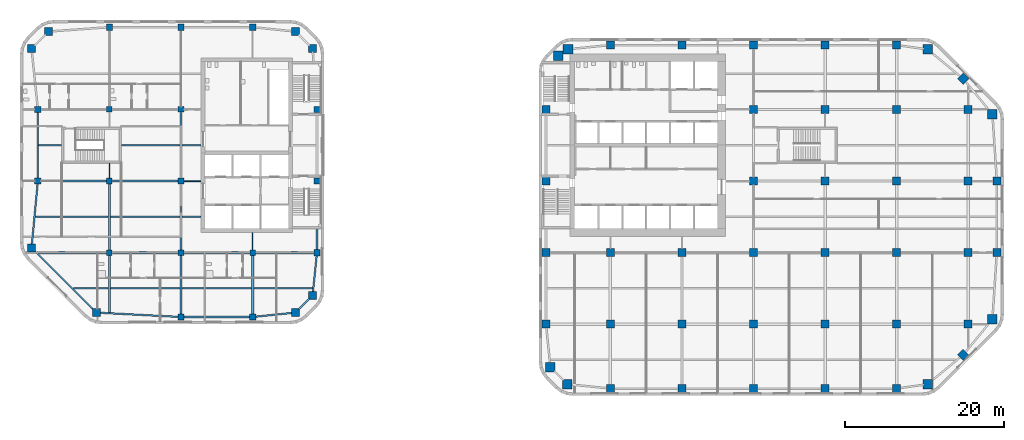
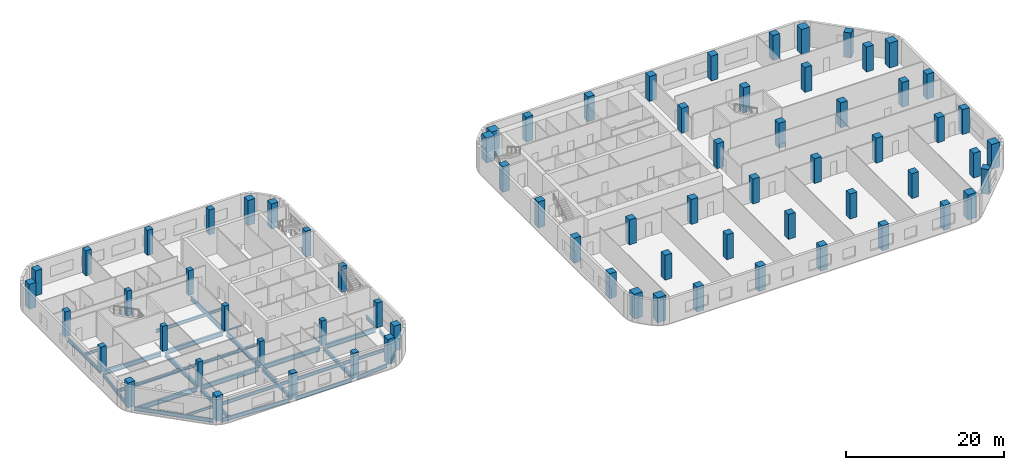
# One storey, part 1 of 15: 71 columns, 34 beams.
"""IFC4 building model written with IfcOpenShell, lengths in metres."""

import ifcopenshell
import ifcopenshell.guid

model = None  # the IFC model being written
_history = None  # IfcOwnerHistory: only IFC2X3 demands one
_inside = {}  # id of a spatial element -> (the spatial element, [elements in it])
_under = {}  # id of a project, library or spatial element -> (it, [spatial elements below it])
_declared = {}  # id of a project -> (the project, [libraries it declares])
_typed = {}  # id of a type object -> (the type object, [elements of that type])
_made_of = {}  # id of a material, layer set ... -> (it, [elements and type objects made of it])


def new_model(schema):
    """Start an empty IFC model of exactly this schema.

    Asked for "IFC4X3", IfcOpenShell would pick the latest addendum, in which some entities
    have other attributes; the version numbers below select the first issue.
    IFC2X3 requires an IfcOwnerHistory on every rooted entity: one is made here for all.
    """
    global model, _history
    if schema == "IFC4X3":
        model = ifcopenshell.file(schema_version=(4, 3, 0, 0))
    else:
        model = ifcopenshell.file(schema=schema)
    _inside.clear()
    _under.clear()
    _declared.clear()
    _typed.clear()
    _made_of.clear()
    _history = None
    if model.schema == "IFC2X3":
        org = make("IfcOrganization", Name="unknown")
        user = make(
            "IfcPersonAndOrganization",
            ThePerson=make("IfcPerson", FamilyName="unknown"),
            TheOrganization=org,
        )
        app = make(
            "IfcApplication",
            ApplicationDeveloper=org,
            Version="unknown",
            ApplicationFullName="unknown",
            ApplicationIdentifier="unknown",
        )
        _history = make(
            "IfcOwnerHistory",
            OwningUser=user,
            OwningApplication=app,
            ChangeAction="ADDED",
            CreationDate=0,
        )
    return model


def make(cls, **values):
    """One entity of the class cls with the attributes given. An attribute that is None is left unset."""
    return model.create_entity(
        cls, **{name: value for name, value in values.items() if value is not None}
    )


def rooted(cls, **values):
    """An entity with a GlobalId (a new one), such as an element, a storey or a relation."""
    return make(cls, GlobalId=ifcopenshell.guid.new(), OwnerHistory=_history, **values)


def si_unit(unit_type, name, prefix=None):
    """IfcSIUnit, for example si_unit("LENGTHUNIT", "METRE", prefix="MILLI")."""
    return make("IfcSIUnit", UnitType=unit_type, Prefix=prefix, Name=name)


def assignment(units):
    """IfcUnitAssignment: the units of a project."""
    return None if units is None else make("IfcUnitAssignment", Units=units)


def point(xyz):
    """IfcCartesianPoint."""
    return None if xyz is None else make("IfcCartesianPoint", Coordinates=xyz)


def direction(xyz):
    """IfcDirection."""
    return None if xyz is None else make("IfcDirection", DirectionRatios=xyz)


def frame(location, z_axis=None, x_axis=None):
    """IfcAxis2Placement3D, a coordinate frame: its origin and axes. An axis left out is left unset."""
    return make(
        "IfcAxis2Placement3D",
        Location=point(location),
        Axis=direction(z_axis),
        RefDirection=direction(x_axis),
    )


def frame_2d(location, x_axis=None):
    """IfcAxis2Placement2D, a coordinate frame in the plane: its origin and x axis."""
    return make(
        "IfcAxis2Placement2D", Location=point(location), RefDirection=direction(x_axis)
    )


def origin():
    """The frame at (0, 0, 0) with its axes left unset."""
    return frame((0.0, 0.0, 0.0))


def origin_2d():
    """The frame at (0, 0) in the plane with its x axis left unset."""
    return frame_2d((0.0, 0.0))


def place(relative_to, where):
    """IfcLocalPlacement: puts the frame where relative to a parent placement (None: the world)."""
    return make(
        "IfcLocalPlacement", PlacementRelTo=relative_to, RelativePlacement=where
    )


def context(
    kind, dimensions, precision=None, world=None, true_north=None, identifier=None
):
    """IfcGeometricRepresentationContext, for example the 3D "Model" context."""
    return make(
        "IfcGeometricRepresentationContext",
        ContextIdentifier=identifier,
        ContextType=kind,
        CoordinateSpaceDimension=dimensions,
        Precision=precision,
        WorldCoordinateSystem=world,
        TrueNorth=true_north,
    )


def subcontext(parent, identifier, kind, view, scale=None):
    """IfcGeometricRepresentationSubContext, for example "Body" below "Model"."""
    return make(
        "IfcGeometricRepresentationSubContext",
        ContextIdentifier=identifier,
        ContextType=kind,
        ParentContext=parent,
        TargetScale=scale,
        TargetView=view,
    )


def project(units=None, contexts=None):
    """IfcProject with its units and contexts."""
    return rooted(
        "IfcProject",
        Name="project",
        RepresentationContexts=contexts,
        UnitsInContext=assignment(units),
    )


def spatial(cls, under=None, at=None, **own):
    """A site, building, storey or space (cls), placed at a placement, below another one or the project."""
    s = rooted(cls, ObjectPlacement=at, **own)
    if under is not None:
        _under.setdefault(under.id(), (under, []))[1].append(s)
    return s


def profile(cls, at=None, kind="AREA", **sizes):
    """A parametric profile (cls). Its sizes go by their IFC names, for example OverallWidth=200.0."""
    return make(cls, ProfileType=kind, Position=at, **sizes)


def rectangle(**sizes):
    """IfcRectangleProfileDef."""
    return profile("IfcRectangleProfileDef", **sizes)


def i_section(**sizes):
    """IfcIShapeProfileDef."""
    return profile("IfcIShapeProfileDef", **sizes)


def extrude(swept, where, along, depth):
    """IfcExtrudedAreaSolid: the profile swept, set in the frame where, extruded along a direction by depth."""
    return make(
        "IfcExtrudedAreaSolid",
        SweptArea=swept,
        Position=where,
        ExtrudedDirection=direction(along),
        Depth=depth,
    )


def shape(context_of_items, identifier, shape_type, items):
    """IfcShapeRepresentation: the items that make up one representation, for example the "Body"."""
    return make(
        "IfcShapeRepresentation",
        ContextOfItems=context_of_items,
        RepresentationIdentifier=identifier,
        RepresentationType=shape_type,
        Items=items,
    )


def material(Name=None, Category=None):
    """IfcMaterial."""
    return make("IfcMaterial", Name=Name, Category=Category)


def material_profile(
    of_material, cross_section, Name=None, Category=None, Priority=None
):
    """IfcMaterialProfile: a cross section and its material."""
    return make(
        "IfcMaterialProfile",
        Name=Name,
        Material=of_material,
        Profile=cross_section,
        Priority=Priority,
        Category=Category,
    )


def profile_set(profiles, Name=None, composite=None):
    """IfcMaterialProfileSet."""
    return make(
        "IfcMaterialProfileSet",
        Name=Name,
        MaterialProfiles=profiles,
        CompositeProfile=composite,
    )


def made_of(thing, what):
    """Note that an element or type object is made of a material, layer set ...; save() writes the relation."""
    if what is not None:
        _made_of.setdefault(what.id(), (what, []))[1].append(thing)
    return thing


def type_object(cls, material=None, **own):
    """A type object (cls), such as IfcWallType, which elements share."""
    return made_of(rooted(cls, **own), material)


def element(
    cls,
    number,
    at=None,
    inside=None,
    cuts=None,
    type_object=None,
    material=None,
    context=None,
    identifier="Body",
    shape_type=None,
    held_by="IfcProductDefinitionShape",
    body=None,
    shapes=None,
    **own,
):
    """One element of the class cls, such as IfcWall. Its Tag is "e" and its number.

    at: its placement. inside: the storey or other place that contains it. cuts: it is an
    opening in that element (IfcRelVoidsElement). A single representation is given by context,
    identifier, shape_type and body (its items); several are given by shapes. held_by: the class
    of the entity that holds the representations. save() writes the other relations.
    """
    e = rooted(cls, Tag="e%d" % number, ObjectPlacement=at, **own)
    if body is not None:
        shapes = [shape(context, identifier, shape_type, body)]
    if shapes is not None:
        e.Representation = make(held_by, Representations=shapes)
    if inside is not None:
        _inside.setdefault(inside.id(), (inside, []))[1].append(e)
    if cuts is not None:
        rooted(
            "IfcRelVoidsElement", RelatingBuildingElement=cuts, RelatedOpeningElement=e
        )
    if type_object is not None:
        _typed.setdefault(type_object.id(), (type_object, []))[1].append(e)
    return made_of(e, material)


def aggregate(whole, parts):
    """IfcRelAggregates: a whole, such as a stair, and the parts it consists of."""
    return rooted("IfcRelAggregates", RelatingObject=whole, RelatedObjects=parts)


def save(model, path):
    """Write the relations noted so far, then the file.

    IfcRelAggregates (storeys below a building ...), IfcRelContainedInSpatialStructure (elements
    in a storey), IfcRelDefinesByType, IfcRelAssociatesMaterial and IfcRelDeclares: one each for
    every whole, place, type object, material and project.
    """
    for whole, parts in _under.values():
        aggregate(whole, parts)
    for where, things in _inside.values():
        rooted(
            "IfcRelContainedInSpatialStructure",
            RelatedElements=things,
            RelatingStructure=where,
        )
    for kind, things in _typed.values():
        rooted("IfcRelDefinesByType", RelatedObjects=things, RelatingType=kind)
    for what, things in _made_of.values():
        rooted("IfcRelAssociatesMaterial", RelatedObjects=things, RelatingMaterial=what)
    for by, libraries in _declared.values():
        rooted("IfcRelDeclares", RelatingContext=by, RelatedDefinitions=libraries)
    model.write(path)


model = new_model("IFC4")

# Units and contexts
model_context = context("Model", 3, precision=1e-05, world=origin(), true_north=direction((0.0, 1.0)))
body_context = subcontext(model_context, "Body", "Model", "MODEL_VIEW")
ifc_project = project(units=[si_unit("LENGTHUNIT", "METRE"), si_unit("AREAUNIT", "SQUARE_METRE"), si_unit("VOLUMEUNIT", "CUBIC_METRE"), si_unit("PLANEANGLEUNIT", "RADIAN"), si_unit("MASSUNIT", "GRAM", prefix="KILO")], contexts=[model_context])

# Site, building, storey
site_placement = place(None, origin())
site = spatial("IfcSite", under=ifc_project, at=site_placement, CompositionType="ELEMENT")
building_placement = place(site_placement, origin())
building = spatial("IfcBuilding", under=site, at=building_placement, Name="Cinnabar Reach Civic Tower", CompositionType="ELEMENT")
storey_placement = place(building_placement, frame((0.0, 0.0, 87.0)))
storey = spatial("IfcBuildingStorey", under=building, at=storey_placement, Name="L20", CompositionType="ELEMENT", Elevation=87.0)

# Columns
ifc_material_1 = material(Name="Concrete C70", Category="concrete")
ifc_material_profile_1 = material_profile(ifc_material_1, rectangle(XDim=1.0, YDim=1.0, at=origin_2d()), Name="RC1000")
ifc_profile_set_1 = profile_set([ifc_material_profile_1], Name="Concrete C70")
column_type_1 = type_object("IfcColumnType", Name="RC1000 column R 180", PredefinedType="COLUMN", material=ifc_profile_set_1)
for number, where, z_axis, x_axis, name in (
    (1, (-55.6481, 10.4531, 0.0), (0.0, 0.0, 1.0), (1.0, 0.0, 0.0), "Column T2-Z2-CC0"),
    (2, (-30.6019, 10.4531, 0.0), (0.0, 0.0, 1.0), (1.0, 0.0, 0.0), "Column T2-Z2-CC1"),
    (3, (-28.4531, 12.6019, 0.0), (0.0, 0.0, 1.0), (1.0, 0.0, 0.0), "Column T2-Z2-CC2"),
    (4, (-28.4531, 43.6481, 0.0), (0.0, 0.0, 1.0), (1.0, 0.0, 0.0), "Column T2-Z2-CC3"),
    (5, (-30.6019, 45.7969, 0.0), (0.0, 0.0, 1.0), (1.0, 0.0, 0.0), "Column T2-Z2-CC4"),
    (6, (-61.6481, 45.7969, 0.0), (0.0, 0.0, 1.0), (1.0, 0.0, 0.0), "Column T2-Z2-CC5"),
    (7, (-63.7969, 43.6481, 0.0), (0.0, 0.0, 1.0), (1.0, 0.0, 0.0), "Column T2-Z2-CC6"),
    (8, (-63.7969, 18.6019, 0.0), (0.0, 0.0, 1.0), (1.0, 0.0, 0.0), "Column T2-Z2-CC7"),
):
    element("IfcColumn", number, at=place(storey_placement, frame(where, z_axis=z_axis, x_axis=x_axis)), inside=storey, type_object=column_type_1, Name=name, PredefinedType="COLUMN", context=body_context, shape_type="SweptSolid", body=[
        extrude(rectangle(XDim=1.0, YDim=1.0, at=origin_2d()), origin(), (0.0, 0.0, 1.0), 3.85),
    ])
ifc_material_profile_2 = material_profile(ifc_material_1, rectangle(XDim=1.0, YDim=1.0, at=origin_2d()), Name="RC1000")
ifc_profile_set_2 = profile_set([ifc_material_profile_2], Name="Concrete C70")
column_type_2 = type_object("IfcColumnType", Name="RC1000 column R 240", PredefinedType="COLUMN", material=ifc_profile_set_2)
for number, where, z_axis, x_axis, name in (
    (9, (9.0, 0.9, 0.0), (0.0, 0.0, 1.0), (1.0, 0.0, 0.0), "Column T1-Z1-F0-1"),
    (10, (18.0, 0.9, 0.0), (0.0, 0.0, 1.0), (1.0, 0.0, 0.0), "Column T1-Z1-F0-2"),
    (11, (27.0, 0.9, 0.0), (0.0, 0.0, 1.0), (1.0, 0.0, 0.0), "Column T1-Z1-F0-3"),
    (12, (36.0, 0.9, 0.0), (0.0, 0.0, 1.0), (1.0, 0.0, 0.0), "Column T1-Z1-F0-4"),
    (13, (45.0, 0.9, 0.0), (0.0, 0.0, 1.0), (1.0, 0.0, 0.0), "Column T1-Z1-F0-5"),
    (14, (53.3636, 5.1364, 0.0), (0.0, 0.0, 1.0), (0.707106781187, 0.707106781187, 0.0), "Column T1-Z1-F1-M"),
    (15, (57.6, 18.0, 0.0), (0.0, 0.0, 1.0), (1.0, 0.0, 0.0), "Column T1-Z1-F2-2"),
    (16, (57.6, 27.0, 0.0), (0.0, 0.0, 1.0), (1.0, 0.0, 0.0), "Column T1-Z1-F2-3"),
    (17, (53.3636, 39.8636, 0.0), (0.0, 0.0, 1.0), (0.707106781187, 0.707106781187, 0.0), "Column T1-Z1-F3-M"),
    (18, (9.0, 44.1, 0.0), (0.0, 0.0, 1.0), (1.0, 0.0, 0.0), "Column T1-Z1-F4-1"),
    (19, (18.0, 44.1, 0.0), (0.0, 0.0, 1.0), (1.0, 0.0, 0.0), "Column T1-Z1-F4-2"),
    (20, (27.0, 44.1, 0.0), (0.0, 0.0, 1.0), (1.0, 0.0, 0.0), "Column T1-Z1-F4-3"),
    (21, (36.0, 44.1, 0.0), (0.0, 0.0, 1.0), (1.0, 0.0, 0.0), "Column T1-Z1-F4-4"),
    (22, (45.0, 44.1, 0.0), (0.0, 0.0, 1.0), (1.0, 0.0, 0.0), "Column T1-Z1-F4-5"),
    (23, (0.9, 9.0, 0.0), (0.0, 0.0, 1.0), (1.0, 0.0, 0.0), "Column T1-Z1-F6-1"),
    (24, (0.9, 18.0, 0.0), (0.0, 0.0, 1.0), (1.0, 0.0, 0.0), "Column T1-Z1-F6-2"),
):
    element("IfcColumn", number, at=place(storey_placement, frame(where, z_axis=z_axis, x_axis=x_axis)), inside=storey, type_object=column_type_2, Name=name, PredefinedType="COLUMN", context=body_context, shape_type="SweptSolid", body=[
        extrude(rectangle(XDim=1.0, YDim=1.0, at=origin_2d()), origin(), (0.0, 0.0, 1.0), 3.85),
    ])
for number, where, z_axis, x_axis, name in (
    (25, (0.9, 27.0, 0.0), (0.0, 0.0, 1.0), (1.0, 0.0, 0.0), "Column T1-Z1-F6-3"),
    (26, (0.9, 36.0, 0.0), (0.0, 0.0, 1.0), (1.0, 0.0, 0.0), "Column T1-Z1-F6-4"),
):
    element("IfcColumn", number, at=place(storey_placement, frame(where, z_axis=z_axis, x_axis=x_axis)), inside=storey, type_object=column_type_2, Name=name, PredefinedType="COLUMN", context=body_context, shape_type="SweptSolid", body=[
        extrude(rectangle(XDim=1.0, YDim=1.0, at=origin_2d()), origin(), (0.0, 0.0, 1.0), 4.0),
    ])
for number, where, z_axis, x_axis, name in (
    (27, (9.0, 9.0, 0.0), (0.0, 0.0, 1.0), (1.0, 0.0, 0.0), "Column T1-Z1-I9_9"),
    (28, (9.0, 18.0, 0.0), (0.0, 0.0, 1.0), (1.0, 0.0, 0.0), "Column T1-Z1-I9_18"),
    (29, (18.0, 9.0, 0.0), (0.0, 0.0, 1.0), (1.0, 0.0, 0.0), "Column T1-Z1-I18_9"),
    (30, (18.0, 18.0, 0.0), (0.0, 0.0, 1.0), (1.0, 0.0, 0.0), "Column T1-Z1-I18_18"),
    (31, (27.0, 9.0, 0.0), (0.0, 0.0, 1.0), (1.0, 0.0, 0.0), "Column T1-Z1-I27_9"),
    (32, (27.0, 18.0, 0.0), (0.0, 0.0, 1.0), (1.0, 0.0, 0.0), "Column T1-Z1-I27_18"),
    (33, (27.0, 27.0, 0.0), (0.0, 0.0, 1.0), (1.0, 0.0, 0.0), "Column T1-Z1-I27_27"),
    (34, (27.0, 36.0, 0.0), (0.0, 0.0, 1.0), (1.0, 0.0, 0.0), "Column T1-Z1-I27_36"),
    (35, (36.0, 9.0, 0.0), (0.0, 0.0, 1.0), (1.0, 0.0, 0.0), "Column T1-Z1-I36_9"),
    (36, (36.0, 18.0, 0.0), (0.0, 0.0, 1.0), (1.0, 0.0, 0.0), "Column T1-Z1-I36_18"),
    (37, (36.0, 27.0, 0.0), (0.0, 0.0, 1.0), (1.0, 0.0, 0.0), "Column T1-Z1-I36_27"),
    (38, (36.0, 36.0, 0.0), (0.0, 0.0, 1.0), (1.0, 0.0, 0.0), "Column T1-Z1-I36_36"),
    (39, (45.0, 9.0, 0.0), (0.0, 0.0, 1.0), (1.0, 0.0, 0.0), "Column T1-Z1-I45_9"),
    (40, (45.0, 18.0, 0.0), (0.0, 0.0, 1.0), (1.0, 0.0, 0.0), "Column T1-Z1-I45_18"),
    (41, (45.0, 27.0, 0.0), (0.0, 0.0, 1.0), (1.0, 0.0, 0.0), "Column T1-Z1-I45_27"),
    (42, (45.0, 36.0, 0.0), (0.0, 0.0, 1.0), (1.0, 0.0, 0.0), "Column T1-Z1-I45_36"),
    (43, (54.0, 9.0, 0.0), (0.0, 0.0, 1.0), (1.0, 0.0, 0.0), "Column T1-Z1-I54_9"),
    (44, (54.0, 18.0, 0.0), (0.0, 0.0, 1.0), (1.0, 0.0, 0.0), "Column T1-Z1-I54_18"),
    (45, (54.0, 27.0, 0.0), (0.0, 0.0, 1.0), (1.0, 0.0, 0.0), "Column T1-Z1-I54_27"),
    (46, (54.0, 36.0, 0.0), (0.0, 0.0, 1.0), (1.0, 0.0, 0.0), "Column T1-Z1-I54_36"),
):
    element("IfcColumn", number, at=place(storey_placement, frame(where, z_axis=z_axis, x_axis=x_axis)), inside=storey, type_object=column_type_2, Name=name, PredefinedType="COLUMN", context=body_context, shape_type="SweptSolid", body=[
        extrude(rectangle(XDim=1.0, YDim=1.0, at=origin_2d()), origin(), (0.0, 0.0, 1.0), 3.85),
    ])
ifc_material_2 = material(Name="Concrete C80", Category="concrete")
ifc_material_profile_3 = material_profile(ifc_material_2, rectangle(XDim=1.2, YDim=1.2, at=origin_2d()), Name="RC1200")
ifc_profile_set_3 = profile_set([ifc_material_profile_3], Name="Concrete C80")
column_type_3 = type_object("IfcColumnType", Name="RC1200 column R 240", PredefinedType="COLUMN", material=ifc_profile_set_3)
for number, where, z_axis, x_axis, name in (
    (47, (3.6019, 1.4531, 0.0), (0.0, 0.0, 1.0), (1.0, 0.0, 0.0), "Column T1-Z1-CC0"),
    (48, (48.8981, 1.4531, 0.0), (0.0, 0.0, 1.0), (1.0, 0.0, 0.0), "Column T1-Z1-CC1"),
    (49, (57.0469, 9.6019, 0.0), (0.0, 0.0, 1.0), (1.0, 0.0, 0.0), "Column T1-Z1-CC2"),
    (50, (57.0469, 35.3981, 0.0), (0.0, 0.0, 1.0), (1.0, 0.0, 0.0), "Column T1-Z1-CC3"),
    (51, (48.8981, 43.5469, 0.0), (0.0, 0.0, 1.0), (1.0, 0.0, 0.0), "Column T1-Z1-CC4"),
    (52, (3.6666, 43.5737, 0.0), (0.0, 0.0, 1.0), (1.0, 0.0, 0.0), "Column T1-Z1-CC5"),
    (53, (2.4631, 42.75, 0.0), (0.0, 0.0, 1.0), (1.0, 0.0, 0.0), "Column T1-Z1-CC6"),
    (54, (1.4531, 3.6019, 0.0), (0.0, 0.0, 1.0), (1.0, 0.0, 0.0), "Column T1-Z1-CC7"),
):
    element("IfcColumn", number, at=place(storey_placement, frame(where, z_axis=z_axis, x_axis=x_axis)), inside=storey, type_object=column_type_3, Name=name, PredefinedType="COLUMN", context=body_context, shape_type="SweptSolid", body=[
        extrude(rectangle(XDim=1.2, YDim=1.2, at=origin_2d()), origin(), (0.0, 0.0, 1.0), 3.85),
    ])
ifc_material_3 = material(Name="Concrete C60", Category="concrete")
ifc_material_profile_4 = material_profile(ifc_material_3, rectangle(XDim=0.7, YDim=0.7, at=origin_2d()), Name="RC700")
ifc_profile_set_4 = profile_set([ifc_material_profile_4], Name="Concrete C60")
column_type_4 = type_object("IfcColumnType", Name="RC700 column R 180", PredefinedType="COLUMN", material=ifc_profile_set_4)
for number, where, z_axis, x_axis, name in (
    (55, (-54.0, 18.0, 0.0), (0.0, 0.0, 1.0), (1.0, 0.0, 0.0), "Column T2-Z2-I-54_18"),
    (56, (-54.0, 27.0, 0.0), (0.0, 0.0, 1.0), (1.0, 0.0, 0.0), "Column T2-Z2-I-54_27"),
    (57, (-54.0, 36.0, 0.0), (0.0, 0.0, 1.0), (1.0, 0.0, 0.0), "Column T2-Z2-I-54_36"),
    (58, (-45.0, 18.0, 0.0), (0.0, 0.0, 1.0), (1.0, 0.0, 0.0), "Column T2-Z2-I-45_18"),
    (59, (-45.0, 27.0, 0.0), (0.0, 0.0, 1.0), (1.0, 0.0, 0.0), "Column T2-Z2-I-45_27"),
    (60, (-45.0, 36.0, 0.0), (0.0, 0.0, 1.0), (1.0, 0.0, 0.0), "Column T2-Z2-I-45_36"),
    (61, (-36.0, 18.0, 0.0), (0.0, 0.0, 1.0), (1.0, 0.0, 0.0), "Column T2-Z2-I-36_18"),
):
    element("IfcColumn", number, at=place(storey_placement, frame(where, z_axis=z_axis, x_axis=x_axis)), inside=storey, type_object=column_type_4, Name=name, PredefinedType="COLUMN", context=body_context, shape_type="SweptSolid", body=[
        extrude(rectangle(XDim=0.7, YDim=0.7, at=origin_2d()), origin(), (0.0, 0.0, 1.0), 3.85),
    ])
ifc_material_profile_5 = material_profile(ifc_material_3, rectangle(XDim=0.8, YDim=0.8, at=origin_2d()), Name="RC800")
ifc_profile_set_5 = profile_set([ifc_material_profile_5], Name="Concrete C60")
column_type_5 = type_object("IfcColumnType", Name="RC800 column R 180", PredefinedType="COLUMN", material=ifc_profile_set_5)
for number, where, z_axis, x_axis, name in (
    (62, (-45.0, 9.9, 0.0), (0.0, 0.0, 1.0), (1.0, 0.0, 0.0), "Column T2-Z2-F0--5"),
    (63, (-36.0, 9.9, 0.0), (0.0, 0.0, 1.0), (1.0, 0.0, 0.0), "Column T2-Z2-F0--4"),
    (64, (-27.9, 18.0, 0.0), (0.0, 0.0, 1.0), (1.0, 0.0, 0.0), "Column T2-Z2-F2-2"),
):
    element("IfcColumn", number, at=place(storey_placement, frame(where, z_axis=z_axis, x_axis=x_axis)), inside=storey, type_object=column_type_5, Name=name, PredefinedType="COLUMN", context=body_context, shape_type="SweptSolid", body=[
        extrude(rectangle(XDim=0.8, YDim=0.8, at=origin_2d()), origin(), (0.0, 0.0, 1.0), 3.85),
    ])
for number, where, z_axis, x_axis, name in (
    (65, (-27.9, 27.0, 0.0), (0.0, 0.0, 1.0), (1.0, 0.0, 0.0), "Column T2-Z2-F2-3"),
    (66, (-27.9, 36.0, 0.0), (0.0, 0.0, 1.0), (1.0, 0.0, 0.0), "Column T2-Z2-F2-4"),
):
    element("IfcColumn", number, at=place(storey_placement, frame(where, z_axis=z_axis, x_axis=x_axis)), inside=storey, type_object=column_type_5, Name=name, PredefinedType="COLUMN", context=body_context, shape_type="SweptSolid", body=[
        extrude(rectangle(XDim=0.8, YDim=0.8, at=origin_2d()), origin(), (0.0, 0.0, 1.0), 4.0),
    ])
for number, where, z_axis, x_axis, name in (
    (67, (-54.0, 46.35, 0.0), (0.0, 0.0, 1.0), (1.0, 0.0, 0.0), "Column T2-Z2-F4--6"),
    (68, (-45.0, 46.35, 0.0), (0.0, 0.0, 1.0), (1.0, 0.0, 0.0), "Column T2-Z2-F4--5"),
    (69, (-36.0, 46.35, 0.0), (0.0, 0.0, 1.0), (1.0, 0.0, 0.0), "Column T2-Z2-F4--4"),
    (70, (-63.0, 27.0, 0.0), (0.0, 0.0, 1.0), (1.0, 0.0, 0.0), "Column T2-Z2-F6-3"),
    (71, (-63.0, 36.0, 0.0), (0.0, 0.0, 1.0), (1.0, 0.0, 0.0), "Column T2-Z2-F6-4"),
):
    element("IfcColumn", number, at=place(storey_placement, frame(where, z_axis=z_axis, x_axis=x_axis)), inside=storey, type_object=column_type_5, Name=name, PredefinedType="COLUMN", context=body_context, shape_type="SweptSolid", body=[
        extrude(rectangle(XDim=0.8, YDim=0.8, at=origin_2d()), origin(), (0.0, 0.0, 1.0), 3.85),
    ])

# Beams
ifc_material_4 = material(Name="Steel Q355B", Category="steel")
ifc_material_profile_6 = material_profile(ifc_material_4, i_section(OverallWidth=0.302, OverallDepth=0.594, WebThickness=0.014, FlangeThickness=0.023, FilletRadius=0.016, at=origin_2d()), Name="HM594x302x14x23")
ifc_profile_set_6 = profile_set([ifc_material_profile_6], Name="Steel Q355B")
beam_type_1 = type_object("IfcBeamType", Name="HM594x302x14x23 beam R 120", PredefinedType="BEAM", material=ifc_profile_set_6)
beam_1_placement = place(storey_placement, frame((-54.0, 10.4696, -0.447), z_axis=(0.0, 1.0, 0.0), x_axis=(-1.0, 0.0, 0.0)))
element("IfcBeam", 72, at=beam_1_placement, inside=storey, type_object=beam_type_1, Name="Girder T2 L20 1", PredefinedType="BEAM", context=body_context, shape_type="SweptSolid", body=[
    extrude(i_section(OverallWidth=0.302, OverallDepth=0.594, WebThickness=0.014, FlangeThickness=0.023, FilletRadius=0.016, at=origin_2d()), origin(), (0.0, 0.0, 1.0), 7.1784),
])
beam_2_placement = place(storey_placement, frame((-54.0, 18.352, -0.447), z_axis=(0.0, 1.0, 0.0), x_axis=(-1.0, 0.0, 0.0)))
element("IfcBeam", 73, at=beam_2_placement, inside=storey, type_object=beam_type_1, Name="Girder T2 L20 2", PredefinedType="BEAM", context=body_context, shape_type="SweptSolid", body=[
    extrude(i_section(OverallWidth=0.302, OverallDepth=0.594, WebThickness=0.014, FlangeThickness=0.023, FilletRadius=0.016, at=origin_2d()), origin(), (0.0, 0.0, 1.0), 8.296),
])
beam_3_placement = place(storey_placement, frame((-45.0, 10.302, -0.447), z_axis=(0.0, 1.0, 0.0), x_axis=(-1.0, 0.0, 0.0)))
element("IfcBeam", 74, at=beam_3_placement, inside=storey, type_object=beam_type_1, Name="Girder T2 L20 6", PredefinedType="BEAM", context=body_context, shape_type="SweptSolid", body=[
    extrude(i_section(OverallWidth=0.302, OverallDepth=0.594, WebThickness=0.014, FlangeThickness=0.023, FilletRadius=0.016, at=origin_2d()), origin(), (0.0, 0.0, 1.0), 7.346),
])
for number, where, z_axis, x_axis, name in (
    (75, (-45.0, 18.352, -0.447), (0.0, 1.0, 0.0), (-1.0, 0.0, 0.0), "Girder T2 L20 7"),
    (76, (-45.0, 27.352, -0.447), (0.0, 1.0, 0.0), (-1.0, 0.0, 0.0), "Girder T2 L20 8"),
):
    element("IfcBeam", number, at=place(storey_placement, frame(where, z_axis=z_axis, x_axis=x_axis)), inside=storey, type_object=beam_type_1, Name=name, PredefinedType="BEAM", context=body_context, shape_type="SweptSolid", body=[
        extrude(i_section(OverallWidth=0.302, OverallDepth=0.594, WebThickness=0.014, FlangeThickness=0.023, FilletRadius=0.016, at=origin_2d()), origin(), (0.0, 0.0, 1.0), 8.296),
    ])
beam_4_placement = place(storey_placement, frame((-36.0, 10.302, -0.447), z_axis=(0.0, 1.0, 0.0), x_axis=(-1.0, 0.0, 0.0)))
element("IfcBeam", 77, at=beam_4_placement, inside=storey, type_object=beam_type_1, Name="Girder T2 L20 10", PredefinedType="BEAM", context=body_context, shape_type="SweptSolid", body=[
    extrude(i_section(OverallWidth=0.302, OverallDepth=0.594, WebThickness=0.014, FlangeThickness=0.023, FilletRadius=0.016, at=origin_2d()), origin(), (0.0, 0.0, 1.0), 7.346),
])
ifc_material_profile_7 = material_profile(ifc_material_4, i_section(OverallWidth=0.099, OverallDepth=0.198, WebThickness=0.0045, FlangeThickness=0.007, FilletRadius=0.013, at=origin_2d()), Name="HN200x100x5.5x8")
ifc_profile_set_7 = profile_set([ifc_material_profile_7], Name="Steel Q355B")
beam_type_2 = type_object("IfcBeamType", Name="HN200x100x5.5x8 beam R 120", PredefinedType="BEAM", material=ifc_profile_set_7)
beam_5_placement = place(storey_placement, frame((-54.0, 27.352, -0.249), z_axis=(0.0, 1.0, 0.0), x_axis=(-1.0, 0.0, 0.0)))
element("IfcBeam", 78, at=beam_5_placement, inside=storey, type_object=beam_type_2, Name="Girder T2 L20 3", PredefinedType="BEAM", context=body_context, shape_type="SweptSolid", body=[
    extrude(i_section(OverallWidth=0.099, OverallDepth=0.198, WebThickness=0.0045, FlangeThickness=0.007, FilletRadius=0.013, at=origin_2d()), origin(), (0.0, 0.0, 1.0), 1.896),
])
beam_6_placement = place(storey_placement, frame((-36.0, 18.352, -0.249), z_axis=(0.0, 1.0, 0.0), x_axis=(-1.0, 0.0, 0.0)))
element("IfcBeam", 79, at=beam_6_placement, inside=storey, type_object=beam_type_2, Name="Girder T2 L20 11", PredefinedType="BEAM", context=body_context, shape_type="SweptSolid", body=[
    extrude(i_section(OverallWidth=0.099, OverallDepth=0.198, WebThickness=0.0045, FlangeThickness=0.007, FilletRadius=0.013, at=origin_2d()), origin(), (0.0, 0.0, 1.0), 2.146),
])
ifc_material_profile_8 = material_profile(ifc_material_4, i_section(OverallWidth=0.124, OverallDepth=0.248, WebThickness=0.005, FlangeThickness=0.008, FilletRadius=0.013, at=origin_2d()), Name="HN250x125x6x9")
ifc_profile_set_8 = profile_set([ifc_material_profile_8], Name="Steel Q355B")
beam_type_3 = type_object("IfcBeamType", Name="HN250x125x6x9 beam R 120", PredefinedType="BEAM", material=ifc_profile_set_8)
beam_7_placement = place(storey_placement, frame((-44.648, 27.0, -0.274), z_axis=(1.0, 0.0, 0.0), x_axis=(0.0, 1.0, 0.0)))
element("IfcBeam", 80, at=beam_7_placement, inside=storey, type_object=beam_type_3, Name="Girder T2 L20 7", PredefinedType="BEAM", context=body_context, shape_type="SweptSolid", body=[
    extrude(i_section(OverallWidth=0.124, OverallDepth=0.248, WebThickness=0.005, FlangeThickness=0.008, FilletRadius=0.013, at=origin_2d()), origin(), (0.0, 0.0, 1.0), 2.146),
])
ifc_material_profile_9 = material_profile(ifc_material_4, i_section(OverallWidth=0.199, OverallDepth=0.396, WebThickness=0.007, FlangeThickness=0.011, FilletRadius=0.013, at=origin_2d()), Name="HN396x199x7x11")
ifc_profile_set_9 = profile_set([ifc_material_profile_9], Name="Steel Q355B")
beam_type_4 = type_object("IfcBeamType", Name="HN396x199x7x11 beam R 120", PredefinedType="BEAM", material=ifc_profile_set_9)
beam_8_placement = place(storey_placement, frame((-58.5508, 13.5, -0.348), z_axis=(1.0, 0.0, 0.0), x_axis=(0.0, 1.0, 0.0)))
element("IfcBeam", 81, at=beam_8_placement, inside=storey, type_object=beam_type_4, Name="Secondary beam T2 L20 1", PredefinedType="BEAM", context=body_context, shape_type="SweptSolid", body=[
    extrude(i_section(OverallWidth=0.199, OverallDepth=0.396, WebThickness=0.007, FlangeThickness=0.011, FilletRadius=0.013, at=origin_2d()), origin(), (0.0, 0.0, 1.0), 4.3978),
])
beam_9_placement = place(storey_placement, frame((-44.847, 22.5, -0.348), z_axis=(1.0, 0.0, 0.0), x_axis=(0.0, 1.0, 0.0)))
element("IfcBeam", 82, at=beam_9_placement, inside=storey, type_object=beam_type_4, Name="Secondary beam T2 L20 7", PredefinedType="BEAM", context=body_context, shape_type="SweptSolid", body=[
    extrude(i_section(OverallWidth=0.199, OverallDepth=0.396, WebThickness=0.007, FlangeThickness=0.011, FilletRadius=0.013, at=origin_2d()), origin(), (0.0, 0.0, 1.0), 2.345),
])
beam_10_placement = place(storey_placement, frame((-62.898, 31.5, -0.348), z_axis=(1.0, 0.0, 0.0), x_axis=(0.0, 1.0, 0.0)))
element("IfcBeam", 83, at=beam_10_placement, inside=storey, type_object=beam_type_4, Name="Secondary beam T2 L20 8", PredefinedType="BEAM", context=body_context, shape_type="SweptSolid", body=[
    extrude(i_section(OverallWidth=0.199, OverallDepth=0.396, WebThickness=0.007, FlangeThickness=0.011, FilletRadius=0.013, at=origin_2d()), origin(), (0.0, 0.0, 1.0), 2.896),
])
beam_11_placement = place(storey_placement, frame((-44.847, 31.5, -0.348), z_axis=(1.0, 0.0, 0.0), x_axis=(0.0, 1.0, 0.0)))
element("IfcBeam", 84, at=beam_11_placement, inside=storey, type_object=beam_type_4, Name="Secondary beam T2 L20 10", PredefinedType="BEAM", context=body_context, shape_type="SweptSolid", body=[
    extrude(i_section(OverallWidth=0.199, OverallDepth=0.396, WebThickness=0.007, FlangeThickness=0.011, FilletRadius=0.013, at=origin_2d()), origin(), (0.0, 0.0, 1.0), 2.345),
])
ifc_material_profile_10 = material_profile(ifc_material_4, i_section(OverallWidth=0.199, OverallDepth=0.496, WebThickness=0.009, FlangeThickness=0.014, FilletRadius=0.016, at=origin_2d()), Name="HN496x199x9x14")
ifc_profile_set_10 = profile_set([ifc_material_profile_10], Name="Steel Q355B")
beam_type_5 = type_object("IfcBeamType", Name="HN496x199x9x14 beam R 120", PredefinedType="BEAM", material=ifc_profile_set_10)
for number, where, z_axis, x_axis, name in (
    (85, (-53.847, 13.5, -0.398), (1.0, 0.0, 0.0), (0.0, 1.0, 0.0), "Secondary beam T2 L20 2"),
    (86, (-44.847, 13.5, -0.398), (1.0, 0.0, 0.0), (0.0, 1.0, 0.0), "Secondary beam T2 L20 3"),
):
    element("IfcBeam", number, at=place(storey_placement, frame(where, z_axis=z_axis, x_axis=x_axis)), inside=storey, type_object=beam_type_5, Name=name, PredefinedType="BEAM", context=body_context, shape_type="SweptSolid", body=[
        extrude(i_section(OverallWidth=0.199, OverallDepth=0.496, WebThickness=0.009, FlangeThickness=0.014, FilletRadius=0.016, at=origin_2d()), origin(), (0.0, 0.0, 1.0), 8.694),
    ])
beam_12_placement = place(storey_placement, frame((-35.847, 13.5, -0.398), z_axis=(1.0, 0.0, 0.0), x_axis=(0.0, 1.0, 0.0)))
element("IfcBeam", 87, at=beam_12_placement, inside=storey, type_object=beam_type_5, Name="Secondary beam T2 L20 4", PredefinedType="BEAM", context=body_context, shape_type="SweptSolid", body=[
    extrude(i_section(OverallWidth=0.199, OverallDepth=0.496, WebThickness=0.009, FlangeThickness=0.014, FilletRadius=0.016, at=origin_2d()), origin(), (0.0, 0.0, 1.0), 7.3834),
])
beam_13_placement = place(storey_placement, frame((-63.3245, 22.5, -0.398), z_axis=(1.0, 0.0, 0.0), x_axis=(0.0, 1.0, 0.0)))
element("IfcBeam", 88, at=beam_13_placement, inside=storey, type_object=beam_type_5, Name="Secondary beam T2 L20 5", PredefinedType="BEAM", context=body_context, shape_type="SweptSolid", body=[
    extrude(i_section(OverallWidth=0.199, OverallDepth=0.496, WebThickness=0.009, FlangeThickness=0.014, FilletRadius=0.016, at=origin_2d()), origin(), (0.0, 0.0, 1.0), 9.1715),
])
beam_14_placement = place(storey_placement, frame((-53.847, 22.5, -0.398), z_axis=(1.0, 0.0, 0.0), x_axis=(0.0, 1.0, 0.0)))
element("IfcBeam", 89, at=beam_14_placement, inside=storey, type_object=beam_type_5, Name="Secondary beam T2 L20 6", PredefinedType="BEAM", context=body_context, shape_type="SweptSolid", body=[
    extrude(i_section(OverallWidth=0.199, OverallDepth=0.496, WebThickness=0.009, FlangeThickness=0.014, FilletRadius=0.016, at=origin_2d()), origin(), (0.0, 0.0, 1.0), 8.694),
])
beam_15_placement = place(storey_placement, frame((-52.498, 31.5, -0.398), z_axis=(1.0, 0.0, 0.0), x_axis=(0.0, 1.0, 0.0)))
element("IfcBeam", 90, at=beam_15_placement, inside=storey, type_object=beam_type_5, Name="Secondary beam T2 L20 9", PredefinedType="BEAM", context=body_context, shape_type="SweptSolid", body=[
    extrude(i_section(OverallWidth=0.199, OverallDepth=0.496, WebThickness=0.009, FlangeThickness=0.014, FilletRadius=0.016, at=origin_2d()), origin(), (0.0, 0.0, 1.0), 7.345),
])
ifc_material_profile_11 = material_profile(ifc_material_4, i_section(OverallWidth=0.2, OverallDepth=0.6, WebThickness=0.011, FlangeThickness=0.017, FilletRadius=0.016, at=origin_2d()), Name="HN600x200x11x17")
ifc_profile_set_11 = profile_set([ifc_material_profile_11], Name="Steel Q355B")
beam_type_6 = type_object("IfcBeamType", Name="HN600x200x11x17 beam R 120", PredefinedType="BEAM", material=ifc_profile_set_11)
beam_16_placement = place(storey_placement, frame((-55.2661, 10.4333, -0.45), z_axis=(0.998653533726, -0.051876001934, 0.0), x_axis=(0.051876001934, 0.998653533726, 0.0)))
element("IfcBeam", 91, at=beam_16_placement, inside=storey, type_object=beam_type_6, Name="Edge beam T2 L20 1", PredefinedType="BEAM", context=body_context, shape_type="SweptSolid", body=[
    extrude(i_section(OverallWidth=0.2, OverallDepth=0.6, WebThickness=0.011, FlangeThickness=0.017, FilletRadius=0.016, at=origin_2d()), origin(), (0.0, 0.0, 1.0), 9.8774),
])
beam_17_placement = place(storey_placement, frame((-44.598, 9.9, -0.45), z_axis=(1.0, 0.0, 0.0), x_axis=(0.0, 1.0, 0.0)))
element("IfcBeam", 92, at=beam_17_placement, inside=storey, type_object=beam_type_6, Name="Edge beam T2 L20 2", PredefinedType="BEAM", context=body_context, shape_type="SweptSolid", body=[
    extrude(i_section(OverallWidth=0.2, OverallDepth=0.6, WebThickness=0.011, FlangeThickness=0.017, FilletRadius=0.016, at=origin_2d()), origin(), (0.0, 0.0, 1.0), 8.196),
])
beam_18_placement = place(storey_placement, frame((-35.598, 9.9412, -0.45), z_axis=(0.994791084875, 0.101934770579, 0.0), x_axis=(-0.101934770579, 0.994791084875, 0.0)))
element("IfcBeam", 93, at=beam_18_placement, inside=storey, type_object=beam_type_6, Name="Edge beam T2 L20 3", PredefinedType="BEAM", context=body_context, shape_type="SweptSolid", body=[
    extrude(i_section(OverallWidth=0.2, OverallDepth=0.6, WebThickness=0.011, FlangeThickness=0.017, FilletRadius=0.016, at=origin_2d()), origin(), (0.0, 0.0, 1.0), 4.6383),
])
beam_19_placement = place(storey_placement, frame((-30.2199, 10.8351, -0.45), z_axis=(0.707106781187, 0.707106781187, 0.0), x_axis=(-0.707106781187, 0.707106781187, 0.0)))
element("IfcBeam", 94, at=beam_19_placement, inside=storey, type_object=beam_type_6, Name="Edge beam T2 L20 4", PredefinedType="BEAM", context=body_context, shape_type="SweptSolid", body=[
    extrude(i_section(OverallWidth=0.2, OverallDepth=0.6, WebThickness=0.011, FlangeThickness=0.017, FilletRadius=0.016, at=origin_2d()), origin(), (0.0, 0.0, 1.0), 1.9584),
])
beam_20_placement = place(storey_placement, frame((-28.414, 12.9839, -0.45), z_axis=(0.101934770579, 0.994791084875, 0.0), x_axis=(-0.994791084875, 0.101934770579, 0.0)))
element("IfcBeam", 95, at=beam_20_placement, inside=storey, type_object=beam_type_6, Name="Edge beam T2 L20 5", PredefinedType="BEAM", context=body_context, shape_type="SweptSolid", body=[
    extrude(i_section(OverallWidth=0.2, OverallDepth=0.6, WebThickness=0.011, FlangeThickness=0.017, FilletRadius=0.016, at=origin_2d()), origin(), (0.0, 0.0, 1.0), 4.6383),
])
beam_21_placement = place(storey_placement, frame((-27.9, 18.402, -0.45), z_axis=(0.0, 1.0, 0.0), x_axis=(-1.0, 0.0, 0.0)))
element("IfcBeam", 96, at=beam_21_placement, inside=storey, type_object=beam_type_6, Name="Edge beam T2 L20 6", PredefinedType="BEAM", context=body_context, shape_type="SweptSolid", body=[
    extrude(i_section(OverallWidth=0.2, OverallDepth=0.6, WebThickness=0.011, FlangeThickness=0.017, FilletRadius=0.016, at=origin_2d()), origin(), (0.0, 0.0, 1.0), 2.596),
])
beam_22_placement = place(storey_placement, frame((-63.0, 35.598, -0.45), z_axis=(0.0, -1.0, 0.0), x_axis=(1.0, 0.0, 0.0)))
element("IfcBeam", 97, at=beam_22_placement, inside=storey, type_object=beam_type_6, Name="Edge beam T2 L20 16", PredefinedType="BEAM", context=body_context, shape_type="SweptSolid", body=[
    extrude(i_section(OverallWidth=0.2, OverallDepth=0.6, WebThickness=0.011, FlangeThickness=0.017, FilletRadius=0.016, at=origin_2d()), origin(), (0.0, 0.0, 1.0), 8.196),
])
beam_23_placement = place(storey_placement, frame((-63.0381, 26.598, -0.45), z_axis=(-0.094478368886, -0.99552691466, 0.0), x_axis=(0.99552691466, -0.094478368886, 0.0)))
element("IfcBeam", 98, at=beam_23_placement, inside=storey, type_object=beam_type_6, Name="Edge beam T2 L20 17", PredefinedType="BEAM", context=body_context, shape_type="SweptSolid", body=[
    extrude(i_section(OverallWidth=0.2, OverallDepth=0.6, WebThickness=0.011, FlangeThickness=0.017, FilletRadius=0.016, at=origin_2d()), origin(), (0.0, 0.0, 1.0), 7.6483),
])
beam_24_placement = place(storey_placement, frame((-63.4149, 18.2199, -0.45), z_axis=(0.707106781187, -0.707106781187, 0.0), x_axis=(0.707106781187, 0.707106781187, 0.0)))
element("IfcBeam", 99, at=beam_24_placement, inside=storey, type_object=beam_type_6, Name="Edge beam T2 L20 18", PredefinedType="BEAM", context=body_context, shape_type="SweptSolid", body=[
    extrude(i_section(OverallWidth=0.2, OverallDepth=0.6, WebThickness=0.011, FlangeThickness=0.017, FilletRadius=0.016, at=origin_2d()), origin(), (0.0, 0.0, 1.0), 10.4437),
])
ifc_material_profile_12 = material_profile(ifc_material_4, i_section(OverallWidth=0.3, OverallDepth=0.692, WebThickness=0.013, FlangeThickness=0.02, FilletRadius=0.016, at=origin_2d()), Name="HN692x300x13x20")
ifc_profile_set_12 = profile_set([ifc_material_profile_12], Name="Steel Q355B")
beam_type_7 = type_object("IfcBeamType", Name="HN692x300x13x20 beam R 120", PredefinedType="BEAM", material=ifc_profile_set_12)
beam_25_placement = place(storey_placement, frame((-63.0508, 18.0, -0.496), z_axis=(1.0, 0.0, 0.0), x_axis=(0.0, 1.0, 0.0)))
element("IfcBeam", 100, at=beam_25_placement, inside=storey, type_object=beam_type_7, Name="Girder T2 L20 1", PredefinedType="BEAM", context=body_context, shape_type="SweptSolid", body=[
    extrude(i_section(OverallWidth=0.3, OverallDepth=0.692, WebThickness=0.013, FlangeThickness=0.02, FilletRadius=0.016, at=origin_2d()), origin(), (0.0, 0.0, 1.0), 8.6988),
])
for number, where, z_axis, x_axis, name in (
    (101, (-53.648, 18.0, -0.496), (1.0, 0.0, 0.0), (0.0, 1.0, 0.0), "Girder T2 L20 2"),
    (102, (-44.648, 18.0, -0.496), (1.0, 0.0, 0.0), (0.0, 1.0, 0.0), "Girder T2 L20 3"),
):
    element("IfcBeam", number, at=place(storey_placement, frame(where, z_axis=z_axis, x_axis=x_axis)), inside=storey, type_object=beam_type_7, Name=name, PredefinedType="BEAM", context=body_context, shape_type="SweptSolid", body=[
        extrude(i_section(OverallWidth=0.3, OverallDepth=0.692, WebThickness=0.013, FlangeThickness=0.02, FilletRadius=0.016, at=origin_2d()), origin(), (0.0, 0.0, 1.0), 8.296),
    ])
beam_26_placement = place(storey_placement, frame((-35.648, 18.0, -0.496), z_axis=(1.0, 0.0, 0.0), x_axis=(0.0, 1.0, 0.0)))
element("IfcBeam", 103, at=beam_26_placement, inside=storey, type_object=beam_type_7, Name="Girder T2 L20 4", PredefinedType="BEAM", context=body_context, shape_type="SweptSolid", body=[
    extrude(i_section(OverallWidth=0.3, OverallDepth=0.692, WebThickness=0.013, FlangeThickness=0.02, FilletRadius=0.016, at=origin_2d()), origin(), (0.0, 0.0, 1.0), 7.346),
])
beam_27_placement = place(storey_placement, frame((-62.598, 27.0, -0.496), z_axis=(1.0, 0.0, 0.0), x_axis=(0.0, 1.0, 0.0)))
element("IfcBeam", 104, at=beam_27_placement, inside=storey, type_object=beam_type_7, Name="Girder T2 L20 5", PredefinedType="BEAM", context=body_context, shape_type="SweptSolid", body=[
    extrude(i_section(OverallWidth=0.3, OverallDepth=0.692, WebThickness=0.013, FlangeThickness=0.02, FilletRadius=0.016, at=origin_2d()), origin(), (0.0, 0.0, 1.0), 8.246),
])
beam_28_placement = place(storey_placement, frame((-53.648, 27.0, -0.496), z_axis=(1.0, 0.0, 0.0), x_axis=(0.0, 1.0, 0.0)))
element("IfcBeam", 105, at=beam_28_placement, inside=storey, type_object=beam_type_7, Name="Girder T2 L20 6", PredefinedType="BEAM", context=body_context, shape_type="SweptSolid", body=[
    extrude(i_section(OverallWidth=0.3, OverallDepth=0.692, WebThickness=0.013, FlangeThickness=0.02, FilletRadius=0.016, at=origin_2d()), origin(), (0.0, 0.0, 1.0), 8.296),
])

save(model, "model.ifc")
